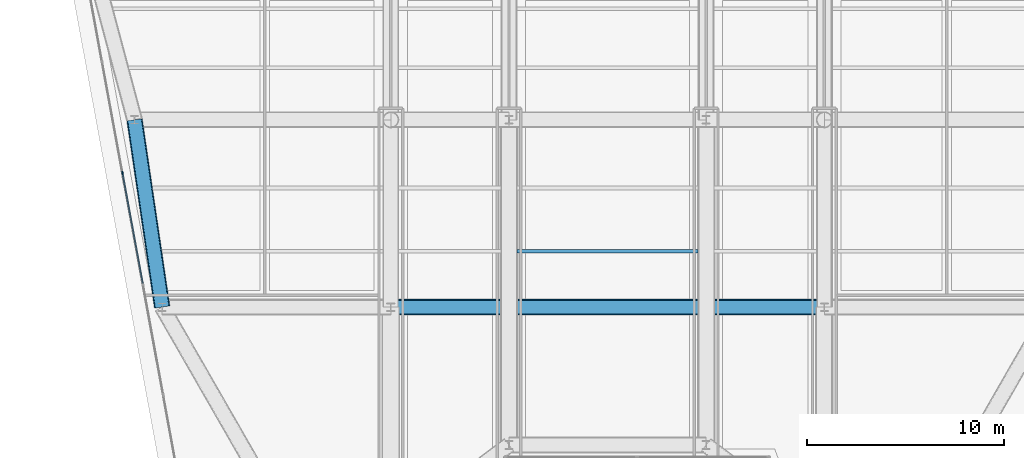
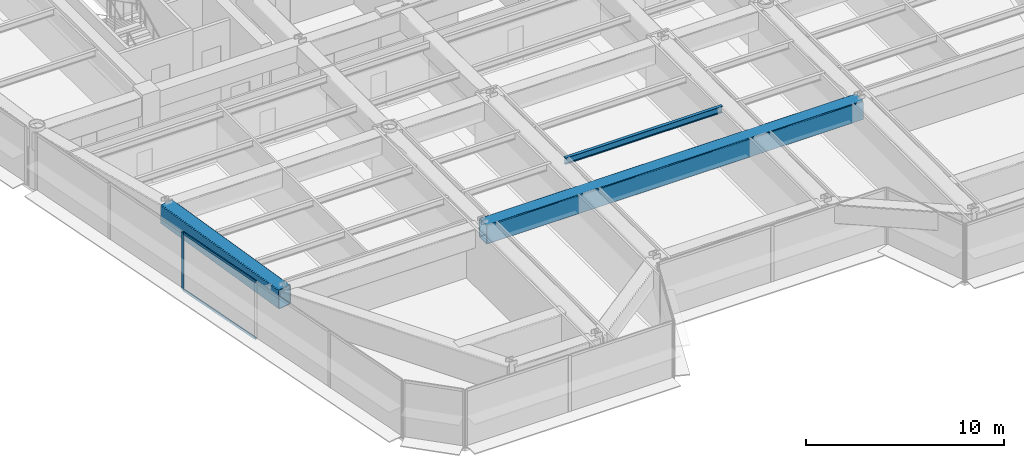
# One storey, part 3 of 16: 3 beams, 3 members, 1 element without a shape of its own.
"""IFC4 building model written with IfcOpenShell, lengths in metres."""

from ifc_helpers import new_model, si_unit, direction, frame, origin, origin_2d, place, context, subcontext, project, spatial, rectangle, hollow_rectangle, i_section, extrude, source, transform, mapped, material, layer, layer_set, material_profile, profile_set, type_object, element, aggregate, save


model = new_model("IFC4")

# Units and contexts
model_context = context("Model", 3, precision=1e-05, world=origin(), true_north=direction((0.0, 1.0)))
body_context = subcontext(model_context, "Body", "Model", "MODEL_VIEW")
ifc_project = project(units=[si_unit("LENGTHUNIT", "METRE"), si_unit("AREAUNIT", "SQUARE_METRE"), si_unit("VOLUMEUNIT", "CUBIC_METRE"), si_unit("PLANEANGLEUNIT", "RADIAN"), si_unit("MASSUNIT", "GRAM", prefix="KILO")], contexts=[model_context])

# Site, building, storey
site_placement = place(None, origin())
site = spatial("IfcSite", under=ifc_project, at=site_placement, CompositionType="ELEMENT")
building_placement = place(site_placement, origin())
building = spatial("IfcBuilding", under=site, at=building_placement, Name="Vaeldorn Concourse Tower", CompositionType="ELEMENT")
storey_placement = place(building_placement, frame((0.0, 0.0, 203.199951171875)))
storey = spatial("IfcBuildingStorey", under=building, at=storey_placement, Name="L52", CompositionType="ELEMENT", Elevation=203.199951171875)

# Beams
ifc_material_1 = material(Name="Steel S460", Category="steel")
ifc_material_profile_1 = material_profile(ifc_material_1, hollow_rectangle(XDim=0.800048828125, YDim=1.199951171875, WallThickness=0.044921875, InnerFilletRadius=0.044921875, OuterFilletRadius=0.090087890625, at=origin_2d()), Name="RHS 1200x800x45")
ifc_profile_set_1 = profile_set([ifc_material_profile_1], Name="Steel S460")
beam_type_1 = type_object("IfcBeamType", Name="BM-TG-RHS1200", PredefinedType="BEAM", material=ifc_profile_set_1)
shared_shape_1 = source(origin(), body_context, "Body", "SweptSolid", [
    extrude(hollow_rectangle(XDim=0.800048828125, YDim=1.199951171875, WallThickness=0.044921875, InnerFilletRadius=0.044921875, OuterFilletRadius=0.090087890625, at=origin_2d()), origin(), (0.0, 0.0, 1.0), 22.0),
])
beam_1_placement = place(storey_placement, frame((23.0, 18.0, 2.97998046875), z_axis=(1.0, 0.0, 0.0), x_axis=(0.0, 1.0, 0.0)))
element("IfcBeam", 1, at=beam_1_placement, inside=storey, type_object=beam_type_1, Name="Beam BM-L52-C-TW5-C-TW6", PredefinedType="BEAM", context=body_context, shape_type="MappedRepresentation", body=[
    mapped(shared_shape_1, transform((0.0, 0.0, 0.0), scale=1.0)),
])
shared_shape_2 = source(origin(), body_context, "Body", "SweptSolid", [
    extrude(hollow_rectangle(XDim=0.800048828125, YDim=1.199951171875, WallThickness=0.044921875, InnerFilletRadius=0.044921875, OuterFilletRadius=0.090087890625, at=origin_2d()), origin(), (0.0, 0.0, 1.0), 9.6025390625),
])
beam_2_placement = place(storey_placement, frame((10.0, 27.5, 2.97998046875), z_axis=(0.145783835977, -0.989316467652, 0.0), x_axis=(0.989316467652, 0.145783835977, 0.0)))
element("IfcBeam", 2, at=beam_2_placement, inside=storey, type_object=beam_type_1, Name="Beam BM-L52-C-FLW1-C-FLW2", PredefinedType="BEAM", context=body_context, shape_type="MappedRepresentation", body=[
    mapped(shared_shape_2, transform((0.0, 0.0, 0.0), scale=1.0)),
])
ifc_material_2 = material(Name="Steel S355", Category="steel")
ifc_material_profile_2 = material_profile(ifc_material_2, i_section(OverallWidth=0.179931640625, OverallDepth=0.39990234375, WebThickness=0.008544921875, FlangeThickness=0.013427734375, FilletRadius=0.02099609375, at=origin_2d()), Name="IPE 400")
ifc_profile_set_2 = profile_set([ifc_material_profile_2], Name="Steel S355")
beam_type_2 = type_object("IfcBeamType", Name="BM-JS-IPE400", PredefinedType="JOIST", material=ifc_profile_set_2)
shared_shape_3 = source(origin(), body_context, "Body", "SweptSolid", [
    extrude(i_section(OverallWidth=0.179931640625, OverallDepth=0.39990234375, WebThickness=0.008544921875, FlangeThickness=0.013427734375, FilletRadius=0.02099609375, at=origin_2d()), origin(), (0.0, 0.0, 1.0), 9.2001953125),
])
beam_3_placement = place(storey_placement, frame((29.39990234375, 20.840087890625, 3.380126953125), z_axis=(1.0, 0.0, 0.0), x_axis=(0.0, 1.0, 0.0)))
element("IfcBeam", 3, at=beam_3_placement, inside=storey, type_object=beam_type_2, Name="Beam JS-L52-C-208", PredefinedType="JOIST", context=body_context, shape_type="MappedRepresentation", body=[
    mapped(shared_shape_3, transform((0.0, 0.0, 0.0), scale=1.0)),
])

# Curtain wall, members
ifc_material_3 = material(Name="Anodised Bronze Aluminium", Category="aluminium")
ifc_layer = layer(ifc_material_3, 0.18994140625)
ifc_layer_set = layer_set([ifc_layer], Name="Anodised Bronze Aluminium")
curtain_wall_type = type_object("IfcCurtainWallType", Name="CW-SYS-03", PredefinedType="NOTDEFINED", material=ifc_layer_set)
curtain_wall_placement = place(storey_placement, origin())
curtain_wall = element("IfcCurtainWall", 4, at=curtain_wall_placement, inside=storey, type_object=curtain_wall_type, Name="Unitised Curtain Wall CW-L52-E11-2", PredefinedType="NOTDEFINED")
ifc_material_profile_3 = material_profile(ifc_material_3, rectangle(XDim=0.06494140625, YDim=0.169921875, at=origin_2d()), Name="CWM 65x170")
ifc_profile_set_3 = profile_set([ifc_material_profile_3], Name="Anodised Bronze Aluminium")
member_type_1 = type_object("IfcMemberType", Name="CWM-BRONZE-170", PredefinedType="MULLION", material=ifc_profile_set_3)
shared_shape_4 = source(origin(), body_context, "Body", "SweptSolid", [
    extrude(rectangle(XDim=0.06494140625, YDim=0.169921875, at=origin_2d()), origin(), (0.0, 0.0, 1.0), 3.580078125),
])
member_1_placement = place(storey_placement, frame((9.38623046875, 24.81005859375, 0.0), z_axis=(0.0, 0.0, 1.0), x_axis=(0.983559325018, 0.180585309951, 0.0)))
member_1 = element("IfcMember", 5, at=member_1_placement, type_object=member_type_1, Name="CW-03 mullion 3", PredefinedType="MULLION", context=body_context, shape_type="MappedRepresentation", body=[
    mapped(shared_shape_4, transform((0.0, 0.0, 0.0), scale=1.0)),
])
ifc_material_profile_4 = material_profile(ifc_material_3, rectangle(XDim=0.06494140625, YDim=0.14990234375, at=origin_2d()), Name="CWT 65x150")
ifc_profile_set_4 = profile_set([ifc_material_profile_4], Name="Anodised Bronze Aluminium")
member_type_2 = type_object("IfcMemberType", Name="CWT-BRONZE-150", PredefinedType="USERDEFINED", material=ifc_profile_set_4)
shared_shape_5 = source(origin(), body_context, "Body", "SweptSolid", [
    extrude(rectangle(XDim=0.06494140625, YDim=0.14990234375, at=origin_2d()), origin(), (0.0, 0.0, 1.0), 5.666015625),
])
member_2_placement = place(storey_placement, frame((9.39208984375, 24.778076171875, 0.032470703125), z_axis=(0.180587719149, -0.983558882677, 0.0), x_axis=(0.983558882677, 0.180587719149, 0.0)))
member_2 = element("IfcMember", 6, at=member_2_placement, type_object=member_type_2, Name="CW-03 transom 3.1", ObjectType="TRANSOM", PredefinedType="USERDEFINED", context=body_context, shape_type="MappedRepresentation", body=[
    mapped(shared_shape_5, transform((0.0, 0.0, 0.0), scale=1.0)),
])
member_3_placement = place(storey_placement, frame((9.39208984375, 24.778076171875, 3.547607421875), z_axis=(0.180587719149, -0.983558882677, 0.0), x_axis=(0.983558882677, 0.180587719149, 0.0)))
member_3 = element("IfcMember", 7, at=member_3_placement, type_object=member_type_2, Name="CW-03 transom 3.2", ObjectType="TRANSOM", PredefinedType="USERDEFINED", context=body_context, shape_type="MappedRepresentation", body=[
    mapped(shared_shape_5, transform((0.0, 0.0, 0.0), scale=1.0)),
])
aggregate(curtain_wall, [member_1, member_2, member_3])

save(model, "model.ifc")
